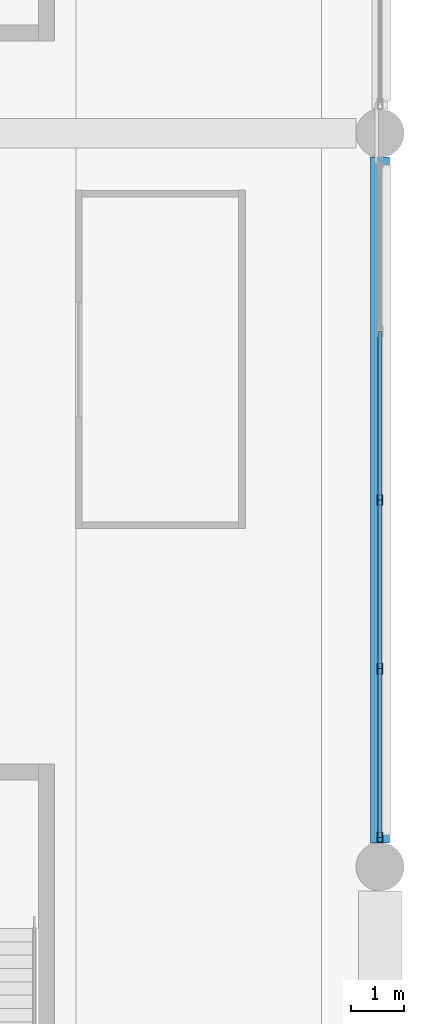
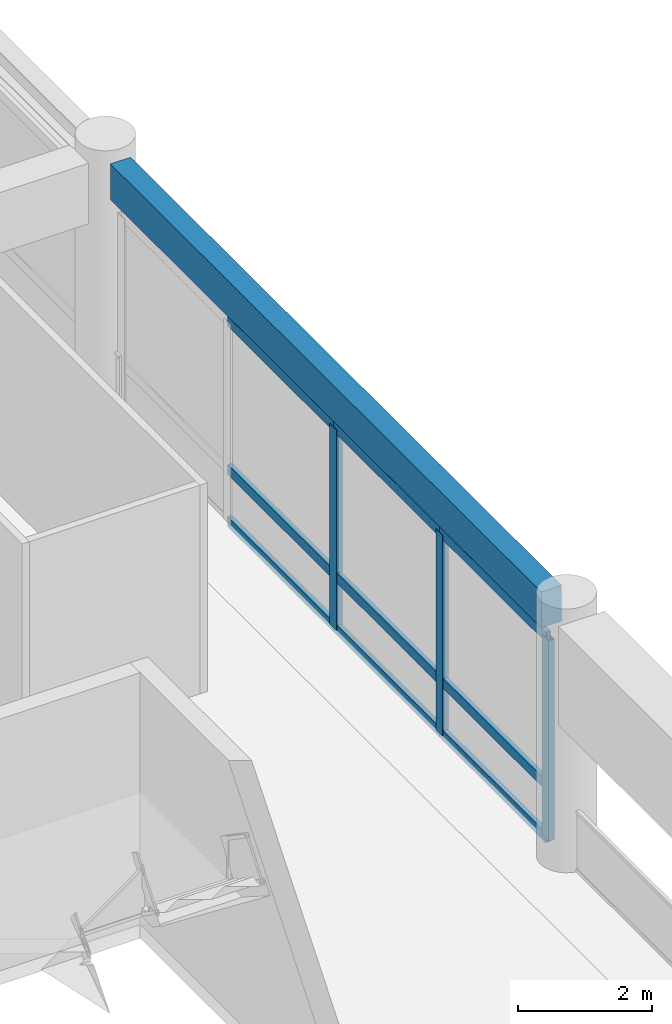
# One storey, part 35 of 91: 12 members, 1 beam, 1 element without a shape of its own.
"""IFC4 building model written with IfcOpenShell, lengths in metres."""

from ifc_helpers import new_model, si_unit, direction, frame, origin, origin_2d, place, context, subcontext, project, spatial, rectangle, hollow_rectangle, extrude, material, material_profile, profile_set, type_object, element, aggregate, save


model = new_model("IFC4")

# Units and contexts
model_context = context("Model", 3, precision=1e-05, world=origin(), true_north=direction((0.0, 1.0)))
body_context = subcontext(model_context, "Body", "Model", "MODEL_VIEW")
ifc_project = project(units=[si_unit("LENGTHUNIT", "METRE"), si_unit("AREAUNIT", "SQUARE_METRE"), si_unit("VOLUMEUNIT", "CUBIC_METRE"), si_unit("PLANEANGLEUNIT", "RADIAN"), si_unit("MASSUNIT", "GRAM", prefix="KILO")], contexts=[model_context])

# Site, building, storey
site_placement = place(None, origin())
site = spatial("IfcSite", under=ifc_project, at=site_placement, CompositionType="ELEMENT")
building_placement = place(site_placement, origin())
building = spatial("IfcBuilding", under=site, at=building_placement, Name="Linyun Crest Stadium", CompositionType="ELEMENT")
storey_placement = place(building_placement, frame((0.0, 0.0, 11.39990234375)))
storey = spatial("IfcBuildingStorey", under=building, at=storey_placement, Name="L03", CompositionType="ELEMENT", Elevation=11.39990234375)

# Beam
ifc_material_1 = material(Name="Concrete C40", Category="concrete")
ifc_material_profile_1 = material_profile(ifc_material_1, rectangle(XDim=0.35009765625, YDim=0.64990234375, at=origin_2d()), Name="RCB 650x350")
ifc_profile_set_1 = profile_set([ifc_material_profile_1], Name="Concrete C40")
beam_type = type_object("IfcBeamType", Name="B02", PredefinedType="BEAM", material=ifc_profile_set_1)
beam_placement = place(storey_placement, frame((98.0, -38.675048828125, 4.255126953125), z_axis=(0.0, 1.0, 0.0), x_axis=(-1.0, 0.0, 0.0)))
element("IfcBeam", 1, at=beam_placement, inside=storey, type_object=beam_type, Name="Frame beam B02 L03 672", PredefinedType="BEAM", context=body_context, shape_type="SweptSolid", body=[
    extrude(rectangle(XDim=0.35009765625, YDim=0.64990234375, at=origin_2d()), origin(), (0.0, 0.0, 1.0), 12.85009765625),
])

# Curtain wall, members
ifc_material_2 = material(Name="Verdigris steel and low-E curtain wall assembly", Category="steel")
curtain_wall_type = type_object("IfcCurtainWallType", Name="MCW02", PredefinedType="NOTDEFINED", material=ifc_material_2)
curtain_wall_placement = place(storey_placement, origin())
curtain_wall = element("IfcCurtainWall", 2, at=curtain_wall_placement, inside=storey, type_object=curtain_wall_type, Name="CWR-079", PredefinedType="NOTDEFINED")
ifc_material_3 = material(Name="Verdigris painted steel Q355C mullion", Category="steel")
ifc_material_profile_2 = material_profile(ifc_material_3, hollow_rectangle(XDim=0.10009765625, YDim=0.199951171875, WallThickness=0.008056640625, at=origin_2d()), Name="RHS 200x100x8")
ifc_profile_set_2 = profile_set([ifc_material_profile_2], Name="Verdigris painted steel Q355C mullion")
member_type_1 = type_object("IfcMemberType", Name="ML03", PredefinedType="MULLION", material=ifc_profile_set_2)
member_1_placement = place(storey_placement, frame((98.0, -38.574951171875, 0.0), z_axis=(0.0, 0.0, 1.0), x_axis=(-1.0, 0.0, 0.0)))
member_1 = element("IfcMember", 3, at=member_1_placement, type_object=member_type_1, Name="CWR-079 mullion 1", PredefinedType="MULLION", context=body_context, shape_type="SweptSolid", body=[
    extrude(hollow_rectangle(XDim=0.10009765625, YDim=0.199951171875, WallThickness=0.008056640625, at=origin_2d()), origin(), (0.0, 0.0, 1.0), 3.650146484375),
])
member_2_placement = place(storey_placement, frame((98.0, -35.412109375, 0.0), z_axis=(0.0, 0.0, 1.0), x_axis=(-1.0, 0.0, 0.0)))
member_2 = element("IfcMember", 4, at=member_2_placement, type_object=member_type_1, Name="CWR-079 mullion 2", PredefinedType="MULLION", context=body_context, shape_type="SweptSolid", body=[
    extrude(hollow_rectangle(XDim=0.10009765625, YDim=0.199951171875, WallThickness=0.008056640625, at=origin_2d()), origin(), (0.0, 0.0, 1.0), 3.650146484375),
])
member_3_placement = place(storey_placement, frame((98.0, -32.25, 0.0), z_axis=(0.0, 0.0, 1.0), x_axis=(-1.0, 0.0, 0.0)))
member_3 = element("IfcMember", 5, at=member_3_placement, type_object=member_type_1, Name="CWR-079 mullion 3", PredefinedType="MULLION", context=body_context, shape_type="SweptSolid", body=[
    extrude(hollow_rectangle(XDim=0.10009765625, YDim=0.199951171875, WallThickness=0.008056640625, at=origin_2d()), origin(), (0.0, 0.0, 1.0), 3.650146484375),
])
ifc_material_4 = material(Name="Verdigris painted steel Q355B transom", Category="steel")
ifc_material_profile_3 = material_profile(ifc_material_4, hollow_rectangle(XDim=0.080078125, YDim=0.179931640625, WallThickness=0.006103515625, at=origin_2d()), Name="RHS 180x80x6")
ifc_profile_set_3 = profile_set([ifc_material_profile_3], Name="Verdigris painted steel Q355B transom")
member_type_2 = type_object("IfcMemberType", Name="TR02", PredefinedType="USERDEFINED", material=ifc_profile_set_3)
member_4_placement = place(storey_placement, frame((98.0, -38.574951171875, 0.0), z_axis=(0.0, 1.0, 0.0), x_axis=(-1.0, 0.0, 0.0)))
member_4 = element("IfcMember", 6, at=member_4_placement, type_object=member_type_2, Name="CWR-079 transom 1.1", ObjectType="TRANSOM", PredefinedType="USERDEFINED", context=body_context, shape_type="SweptSolid", body=[
    extrude(hollow_rectangle(XDim=0.080078125, YDim=0.179931640625, WallThickness=0.006103515625, at=origin_2d()), origin(), (0.0, 0.0, 1.0), 3.162841796875),
])
member_5_placement = place(storey_placement, frame((98.0, -38.574951171875, 0.9501953125), z_axis=(0.0, 1.0, 0.0), x_axis=(-1.0, 0.0, 0.0)))
member_5 = element("IfcMember", 7, at=member_5_placement, type_object=member_type_2, Name="CWR-079 transom 1.2", ObjectType="TRANSOM", PredefinedType="USERDEFINED", context=body_context, shape_type="SweptSolid", body=[
    extrude(hollow_rectangle(XDim=0.080078125, YDim=0.179931640625, WallThickness=0.006103515625, at=origin_2d()), origin(), (0.0, 0.0, 1.0), 3.162841796875),
])
member_6_placement = place(storey_placement, frame((98.0, -38.574951171875, 3.650146484375), z_axis=(0.0, 1.0, 0.0), x_axis=(-1.0, 0.0, 0.0)))
member_6 = element("IfcMember", 8, at=member_6_placement, type_object=member_type_2, Name="CWR-079 transom 1.3", ObjectType="TRANSOM", PredefinedType="USERDEFINED", context=body_context, shape_type="SweptSolid", body=[
    extrude(hollow_rectangle(XDim=0.080078125, YDim=0.179931640625, WallThickness=0.006103515625, at=origin_2d()), origin(), (0.0, 0.0, 1.0), 3.162841796875),
])
member_7_placement = place(storey_placement, frame((98.0, -35.412109375, 0.0), z_axis=(0.0, 1.0, 0.0), x_axis=(-1.0, 0.0, 0.0)))
member_7 = element("IfcMember", 9, at=member_7_placement, type_object=member_type_2, Name="CWR-079 transom 2.1", ObjectType="TRANSOM", PredefinedType="USERDEFINED", context=body_context, shape_type="SweptSolid", body=[
    extrude(hollow_rectangle(XDim=0.080078125, YDim=0.179931640625, WallThickness=0.006103515625, at=origin_2d()), origin(), (0.0, 0.0, 1.0), 3.162109375),
])
member_8_placement = place(storey_placement, frame((98.0, -35.412109375, 0.9501953125), z_axis=(0.0, 1.0, 0.0), x_axis=(-1.0, 0.0, 0.0)))
member_8 = element("IfcMember", 10, at=member_8_placement, type_object=member_type_2, Name="CWR-079 transom 2.2", ObjectType="TRANSOM", PredefinedType="USERDEFINED", context=body_context, shape_type="SweptSolid", body=[
    extrude(hollow_rectangle(XDim=0.080078125, YDim=0.179931640625, WallThickness=0.006103515625, at=origin_2d()), origin(), (0.0, 0.0, 1.0), 3.162109375),
])
member_9_placement = place(storey_placement, frame((98.0, -35.412109375, 3.650146484375), z_axis=(0.0, 1.0, 0.0), x_axis=(-1.0, 0.0, 0.0)))
member_9 = element("IfcMember", 11, at=member_9_placement, type_object=member_type_2, Name="CWR-079 transom 2.3", ObjectType="TRANSOM", PredefinedType="USERDEFINED", context=body_context, shape_type="SweptSolid", body=[
    extrude(hollow_rectangle(XDim=0.080078125, YDim=0.179931640625, WallThickness=0.006103515625, at=origin_2d()), origin(), (0.0, 0.0, 1.0), 3.162109375),
])
member_10_placement = place(storey_placement, frame((98.0, -32.25, 0.0), z_axis=(0.0, 1.0, 0.0), x_axis=(-1.0, 0.0, 0.0)))
member_10 = element("IfcMember", 12, at=member_10_placement, type_object=member_type_2, Name="CWR-079 transom 3.1", ObjectType="TRANSOM", PredefinedType="USERDEFINED", context=body_context, shape_type="SweptSolid", body=[
    extrude(hollow_rectangle(XDim=0.080078125, YDim=0.179931640625, WallThickness=0.006103515625, at=origin_2d()), origin(), (0.0, 0.0, 1.0), 3.162109375),
])
member_11_placement = place(storey_placement, frame((98.0, -32.25, 0.9501953125), z_axis=(0.0, 1.0, 0.0), x_axis=(-1.0, 0.0, 0.0)))
member_11 = element("IfcMember", 13, at=member_11_placement, type_object=member_type_2, Name="CWR-079 transom 3.2", ObjectType="TRANSOM", PredefinedType="USERDEFINED", context=body_context, shape_type="SweptSolid", body=[
    extrude(hollow_rectangle(XDim=0.080078125, YDim=0.179931640625, WallThickness=0.006103515625, at=origin_2d()), origin(), (0.0, 0.0, 1.0), 3.162109375),
])
member_12_placement = place(storey_placement, frame((98.0, -32.25, 3.650146484375), z_axis=(0.0, 1.0, 0.0), x_axis=(-1.0, 0.0, 0.0)))
member_12 = element("IfcMember", 14, at=member_12_placement, type_object=member_type_2, Name="CWR-079 transom 3.3", ObjectType="TRANSOM", PredefinedType="USERDEFINED", context=body_context, shape_type="SweptSolid", body=[
    extrude(hollow_rectangle(XDim=0.080078125, YDim=0.179931640625, WallThickness=0.006103515625, at=origin_2d()), origin(), (0.0, 0.0, 1.0), 3.162109375),
])
aggregate(curtain_wall, [member_1, member_2, member_3, member_4, member_5, member_6, member_7, member_8, member_9, member_10, member_11, member_12])

save(model, "model.ifc")
